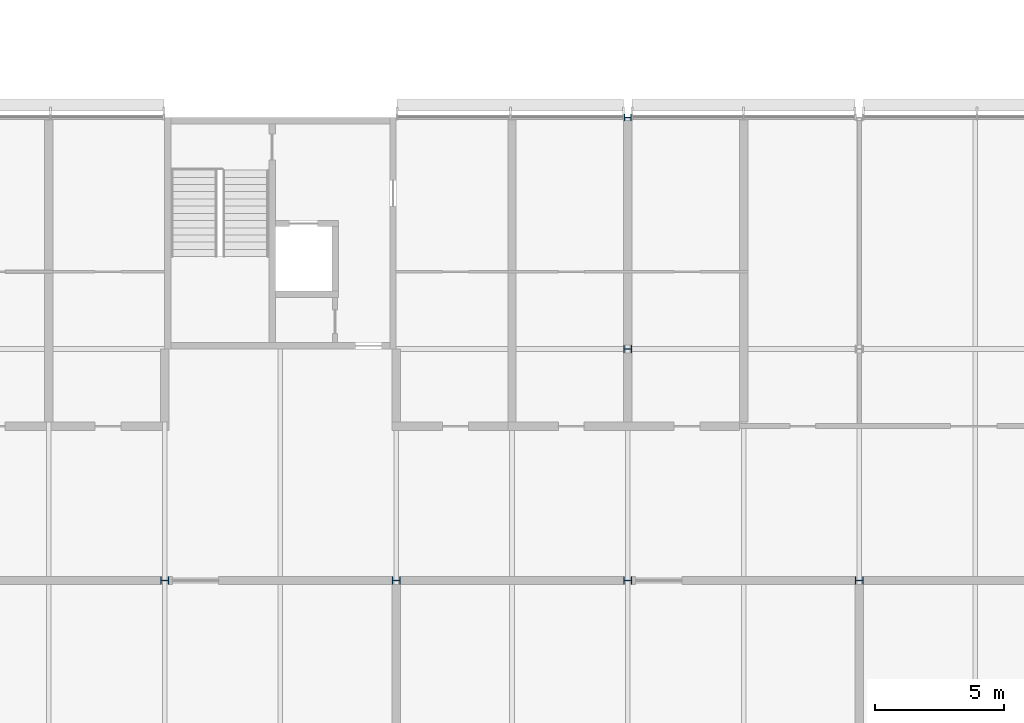
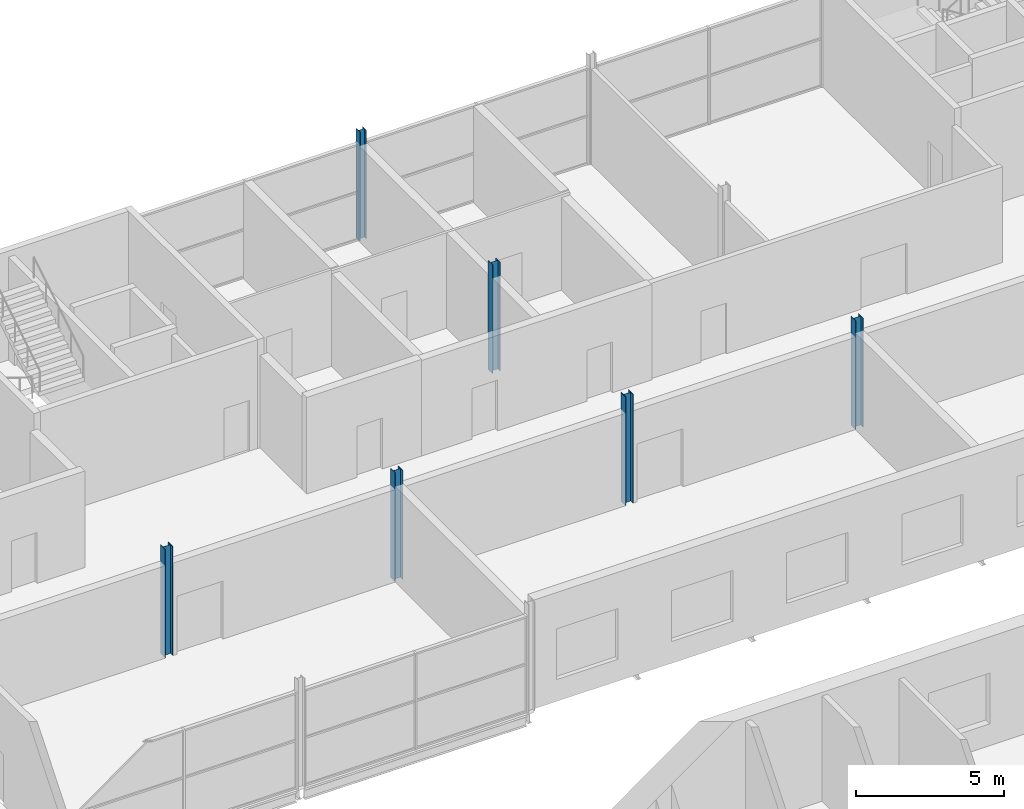
# One storey, part 26 of 97: 6 columns.
"""IFC4 building model written with IfcOpenShell, lengths in metres."""

from ifc_helpers import new_model, si_unit, direction, frame, origin, origin_2d, place, context, subcontext, project, spatial, i_section, extrude, material, material_profile, profile_set, type_object, element, save


model = new_model("IFC4")

# Units and contexts
model_context = context("Model", 3, precision=1e-05, world=origin(), true_north=direction((0.0, 1.0)))
body_context = subcontext(model_context, "Body", "Model", "MODEL_VIEW")
ifc_project = project(units=[si_unit("LENGTHUNIT", "METRE"), si_unit("AREAUNIT", "SQUARE_METRE"), si_unit("VOLUMEUNIT", "CUBIC_METRE"), si_unit("PLANEANGLEUNIT", "RADIAN"), si_unit("MASSUNIT", "GRAM", prefix="KILO")], contexts=[model_context])

# Site, building, storey
site_placement = place(None, origin())
site = spatial("IfcSite", under=ifc_project, at=site_placement, CompositionType="ELEMENT")
building_placement = place(site_placement, origin())
building = spatial("IfcBuilding", under=site, at=building_placement, Name="Corbel Yard City Hall", CompositionType="ELEMENT")
storey_placement = place(building_placement, frame((0.0, 0.0, 6.0)))
storey = spatial("IfcBuildingStorey", under=building, at=storey_placement, Name="L01", CompositionType="ELEMENT", Elevation=6.0)

# Columns
ifc_material = material(Name="Steel Grade 300 (300 MPa yield)", Category="steel")
ifc_material_profile_1 = material_profile(ifc_material, i_section(OverallWidth=0.256103515625, OverallDepth=0.260009765625, WebThickness=0.010498046875, FlangeThickness=0.017333984375, at=origin_2d()), Name="250UC89.5")
ifc_profile_set_1 = profile_set([ifc_material_profile_1], Name="Steel Grade 300 (300 MPa yield)")
column_type_1 = type_object("IfcColumnType", Name="Column 250UC89.5", PredefinedType="COLUMN", material=ifc_profile_set_1)
column_placement = place(storey_placement, frame((153.0, 117.0, 0.0), z_axis=(0.0, 0.0, 1.0), x_axis=(0.0, 1.0, 0.0)))
element("IfcColumn", 1, at=column_placement, inside=storey, type_object=column_type_1, Name="Column 250UC89.5 N/18 L01", PredefinedType="COLUMN", context=body_context, shape_type="SweptSolid", body=[
    extrude(i_section(OverallWidth=0.256103515625, OverallDepth=0.260009765625, WebThickness=0.010498046875, FlangeThickness=0.017333984375, at=origin_2d()), origin(), (0.0, 0.0, 1.0), 4.5),
])
ifc_material_profile_2 = material_profile(ifc_material, i_section(OverallWidth=0.306884765625, OverallDepth=0.31494140625, WebThickness=0.011962890625, FlangeThickness=0.018798828125, at=origin_2d()), Name="310UC118")
ifc_profile_set_2 = profile_set([ifc_material_profile_2], Name="Steel Grade 300 (300 MPa yield)")
column_type_2 = type_object("IfcColumnType", Name="Column 310UC118", PredefinedType="COLUMN", material=ifc_profile_set_2)
for number, where, z_axis, x_axis, name in (
    (2, (135.0, 99.0, 0.0), (0.0, 0.0, 1.0), (0.0, 1.0, 0.0), "Column 310UC118 L/16 L01"),
    (3, (144.0, 99.0, 0.0), (0.0, 0.0, 1.0), (0.0, 1.0, 0.0), "Column 310UC118 L/17 L01"),
    (4, (153.0, 99.0, 0.0), (0.0, 0.0, 1.0), (0.0, 1.0, 0.0), "Column 310UC118 L/18 L01"),
    (5, (153.0, 108.0, 0.0), (0.0, 0.0, 1.0), (0.0, 1.0, 0.0), "Column 310UC118 M/18 L01"),
    (6, (162.0, 99.0, 0.0), (0.0, 0.0, 1.0), (0.0, 1.0, 0.0), "Column 310UC118 L/19 L01"),
):
    element("IfcColumn", number, at=place(storey_placement, frame(where, z_axis=z_axis, x_axis=x_axis)), inside=storey, type_object=column_type_2, Name=name, PredefinedType="COLUMN", context=body_context, shape_type="SweptSolid", body=[
        extrude(i_section(OverallWidth=0.306884765625, OverallDepth=0.31494140625, WebThickness=0.011962890625, FlangeThickness=0.018798828125, at=origin_2d()), origin(), (0.0, 0.0, 1.0), 4.5),
    ])

save(model, "model.ifc")
